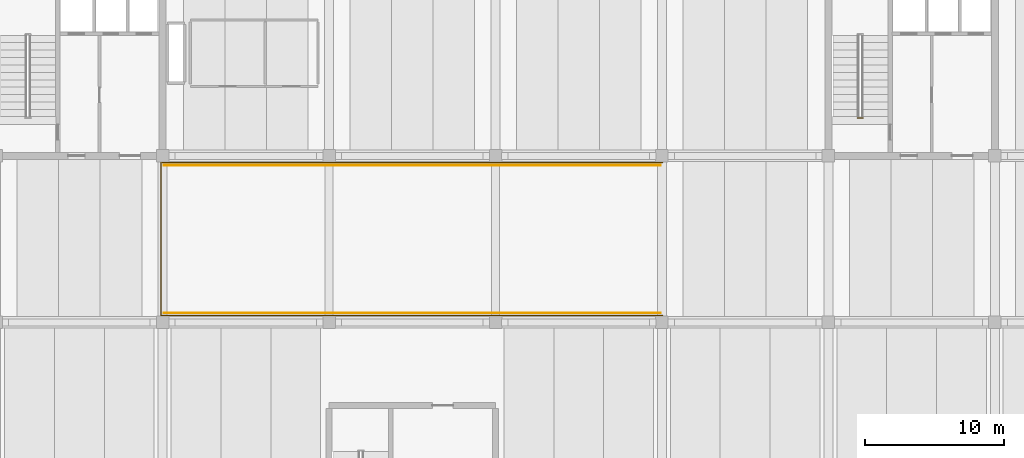
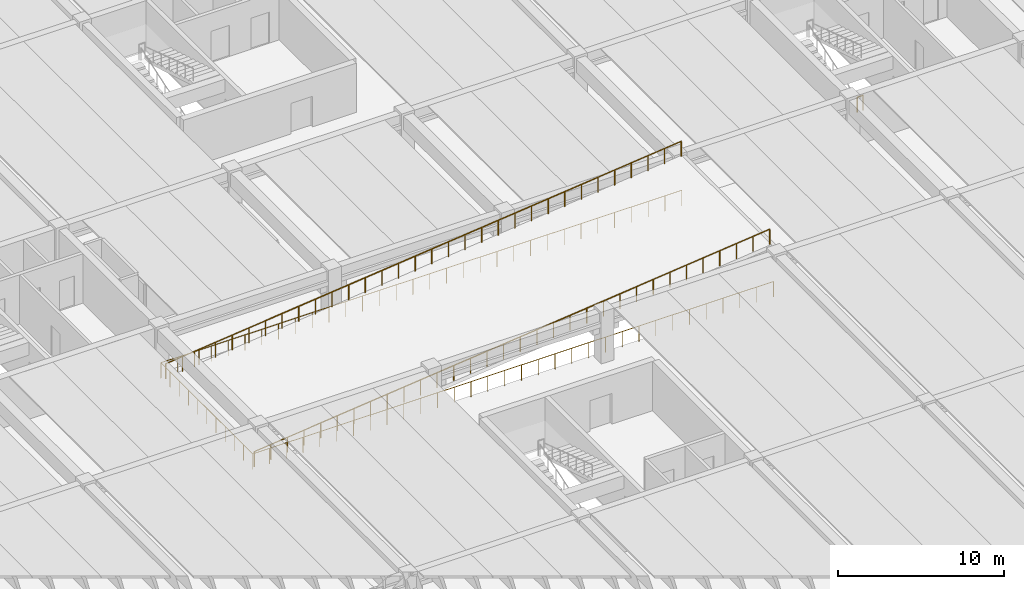
# One storey, part 16 of 19: 4 railings.
"""IFC4 building model written with IfcOpenShell, lengths in metres."""

from ifc_helpers import new_model, si_unit, direction, frame, origin, origin_2d, place, context, subcontext, project, spatial, circle, extrude, material, layer, layer_set, type_object, element, save


model = new_model("IFC4")

# Units and contexts
model_context = context("Model", 3, precision=1e-05, world=origin(), true_north=direction((0.0, 1.0)))
body_context = subcontext(model_context, "Body", "Model", "MODEL_VIEW")
ifc_project = project(units=[si_unit("LENGTHUNIT", "METRE"), si_unit("AREAUNIT", "SQUARE_METRE"), si_unit("VOLUMEUNIT", "CUBIC_METRE"), si_unit("PLANEANGLEUNIT", "RADIAN"), si_unit("MASSUNIT", "GRAM", prefix="KILO")], contexts=[model_context])

# Site, building, storey
site_placement = place(None, origin())
site = spatial("IfcSite", under=ifc_project, at=site_placement, CompositionType="ELEMENT")
building_placement = place(site_placement, origin())
building = spatial("IfcBuilding", under=site, at=building_placement, Name="Girod Span Mobility Hub", CompositionType="ELEMENT")
storey_placement = place(building_placement, frame((0.0, 0.0, 13.39990234375)))
storey = spatial("IfcBuildingStorey", under=building, at=storey_placement, Name="L03", CompositionType="ELEMENT", Elevation=13.39990234375)

# Railings
ifc_material_1 = material(Name="Painted Galvanised Steel", Category="steel")
ifc_layer_1 = layer(ifc_material_1, 0.06494140625)
ifc_layer_set_1 = layer_set([ifc_layer_1], Name="Painted Galvanised Steel")
railing_type_1 = type_object("IfcRailingType", Name="RL-GRD-1120", PredefinedType="GUARDRAIL", material=ifc_layer_set_1)
railing_1_placement = place(storey_placement, frame((60.10009765625, 45.679931640625, 0.0)))
element("IfcRailing", 1, at=railing_1_placement, inside=storey, type_object=railing_type_1, Name="Vehicular Ramp Guardrail L03-S", PredefinedType="GUARDRAIL", context=body_context, shape_type="SweptSolid", body=[
    extrude(circle(Radius=0.02392578125, at=origin_2d()), frame((0.0, 0.0, 1.09619140625), z_axis=(0.994413550329, 0.0, 0.105554208454), x_axis=(0.0, 1.0, 0.0)), (0.0, 0.0, 1.0), 36.0009765625),
    extrude(circle(Radius=0.02099609375, at=origin_2d()), origin(), (0.0, 0.0, 1.0), 1.072021484375),
    extrude(circle(Radius=0.02099609375, at=origin_2d()), frame((1.15478515625, 0.0, 0.12255859375)), (0.0, 0.0, 1.0), 1.072021484375),
    extrude(circle(Radius=0.02099609375, at=origin_2d()), frame((2.3095703125, 0.0, 0.2451171875)), (0.0, 0.0, 1.0), 1.072021484375),
    extrude(circle(Radius=0.02099609375, at=origin_2d()), frame((3.464599609375, 0.0, 0.36767578125)), (0.0, 0.0, 1.0), 1.072021484375),
    extrude(circle(Radius=0.02099609375, at=origin_2d()), frame((4.619384765625, 0.0, 0.490234375)), (0.0, 0.0, 1.0), 1.072021484375),
    extrude(circle(Radius=0.02099609375, at=origin_2d()), frame((5.774169921875, 0.0, 0.61279296875)), (0.0, 0.0, 1.0), 1.072021484375),
    extrude(circle(Radius=0.02099609375, at=origin_2d()), frame((6.928955078125, 0.0, 0.735595703125)), (0.0, 0.0, 1.0), 1.072021484375),
    extrude(circle(Radius=0.02099609375, at=origin_2d()), frame((8.083740234375, 0.0, 0.858154296875)), (0.0, 0.0, 1.0), 1.072021484375),
    extrude(circle(Radius=0.02099609375, at=origin_2d()), frame((9.23876953125, 0.0, 0.980712890625)), (0.0, 0.0, 1.0), 1.072021484375),
    extrude(circle(Radius=0.02099609375, at=origin_2d()), frame((10.3935546875, 0.0, 1.103271484375)), (0.0, 0.0, 1.0), 1.072021484375),
    extrude(circle(Radius=0.02099609375, at=origin_2d()), frame((11.54833984375, 0.0, 1.225830078125)), (0.0, 0.0, 1.0), 1.072021484375),
    extrude(circle(Radius=0.02099609375, at=origin_2d()), frame((12.703125, 0.0, 1.348388671875)), (0.0, 0.0, 1.0), 1.072021484375),
    extrude(circle(Radius=0.02099609375, at=origin_2d()), frame((13.85791015625, 0.0, 1.470947265625)), (0.0, 0.0, 1.0), 1.072021484375),
    extrude(circle(Radius=0.02099609375, at=origin_2d()), frame((15.012939453125, 0.0, 1.593505859375)), (0.0, 0.0, 1.0), 1.072021484375),
    extrude(circle(Radius=0.02099609375, at=origin_2d()), frame((16.167724609375, 0.0, 1.716064453125)), (0.0, 0.0, 1.0), 1.072021484375),
    extrude(circle(Radius=0.02099609375, at=origin_2d()), frame((17.322509765625, 0.0, 1.838623046875)), (0.0, 0.0, 1.0), 1.072021484375),
    extrude(circle(Radius=0.02099609375, at=origin_2d()), frame((18.477294921875, 0.0, 1.96142578125)), (0.0, 0.0, 1.0), 1.072021484375),
    extrude(circle(Radius=0.02099609375, at=origin_2d()), frame((19.632080078125, 0.0, 2.083984375)), (0.0, 0.0, 1.0), 1.072021484375),
    extrude(circle(Radius=0.02099609375, at=origin_2d()), frame((20.786865234375, 0.0, 2.20654296875)), (0.0, 0.0, 1.0), 1.072021484375),
    extrude(circle(Radius=0.02099609375, at=origin_2d()), frame((21.94189453125, 0.0, 2.3291015625)), (0.0, 0.0, 1.0), 1.072021484375),
    extrude(circle(Radius=0.02099609375, at=origin_2d()), frame((23.0966796875, 0.0, 2.45166015625)), (0.0, 0.0, 1.0), 1.072021484375),
    extrude(circle(Radius=0.02099609375, at=origin_2d()), frame((24.25146484375, 0.0, 2.57421875)), (0.0, 0.0, 1.0), 1.072021484375),
    extrude(circle(Radius=0.02099609375, at=origin_2d()), frame((25.40625, 0.0, 2.69677734375)), (0.0, 0.0, 1.0), 1.072021484375),
    extrude(circle(Radius=0.02099609375, at=origin_2d()), frame((26.56103515625, 0.0, 2.8193359375)), (0.0, 0.0, 1.0), 1.072021484375),
    extrude(circle(Radius=0.02099609375, at=origin_2d()), frame((27.716064453125, 0.0, 2.94189453125)), (0.0, 0.0, 1.0), 1.072021484375),
    extrude(circle(Radius=0.02099609375, at=origin_2d()), frame((28.870849609375, 0.0, 3.064453125)), (0.0, 0.0, 1.0), 1.072021484375),
    extrude(circle(Radius=0.02099609375, at=origin_2d()), frame((30.025634765625, 0.0, 3.187255859375)), (0.0, 0.0, 1.0), 1.072021484375),
    extrude(circle(Radius=0.02099609375, at=origin_2d()), frame((31.180419921875, 0.0, 3.309814453125)), (0.0, 0.0, 1.0), 1.072021484375),
    extrude(circle(Radius=0.02099609375, at=origin_2d()), frame((32.335205078125, 0.0, 3.432373046875)), (0.0, 0.0, 1.0), 1.072021484375),
    extrude(circle(Radius=0.02099609375, at=origin_2d()), frame((33.490234375, 0.0, 3.554931640625)), (0.0, 0.0, 1.0), 1.072021484375),
    extrude(circle(Radius=0.02099609375, at=origin_2d()), frame((34.64501953125, 0.0, 3.677490234375)), (0.0, 0.0, 1.0), 1.072021484375),
    extrude(circle(Radius=0.02099609375, at=origin_2d()), frame((35.7998046875, 0.0, 3.800048828125)), (0.0, 0.0, 1.0), 1.072021484375),
])
railing_2_placement = place(storey_placement, frame((60.10009765625, 56.320068359375, 0.0)))
element("IfcRailing", 2, at=railing_2_placement, inside=storey, type_object=railing_type_1, Name="Vehicular Ramp Guardrail L03-N", PredefinedType="GUARDRAIL", context=body_context, shape_type="SweptSolid", body=[
    extrude(circle(Radius=0.02392578125, at=origin_2d()), frame((0.0, 0.0, 1.09619140625), z_axis=(0.994413550329, 0.0, 0.105554208454), x_axis=(0.0, 1.0, 0.0)), (0.0, 0.0, 1.0), 36.0009765625),
    extrude(circle(Radius=0.02099609375, at=origin_2d()), origin(), (0.0, 0.0, 1.0), 1.072021484375),
    extrude(circle(Radius=0.02099609375, at=origin_2d()), frame((1.15478515625, 0.0, 0.12255859375)), (0.0, 0.0, 1.0), 1.072021484375),
    extrude(circle(Radius=0.02099609375, at=origin_2d()), frame((2.3095703125, 0.0, 0.2451171875)), (0.0, 0.0, 1.0), 1.072021484375),
    extrude(circle(Radius=0.02099609375, at=origin_2d()), frame((3.464599609375, 0.0, 0.36767578125)), (0.0, 0.0, 1.0), 1.072021484375),
    extrude(circle(Radius=0.02099609375, at=origin_2d()), frame((4.619384765625, 0.0, 0.490234375)), (0.0, 0.0, 1.0), 1.072021484375),
    extrude(circle(Radius=0.02099609375, at=origin_2d()), frame((5.774169921875, 0.0, 0.61279296875)), (0.0, 0.0, 1.0), 1.072021484375),
    extrude(circle(Radius=0.02099609375, at=origin_2d()), frame((6.928955078125, 0.0, 0.735595703125)), (0.0, 0.0, 1.0), 1.072021484375),
    extrude(circle(Radius=0.02099609375, at=origin_2d()), frame((8.083740234375, 0.0, 0.858154296875)), (0.0, 0.0, 1.0), 1.072021484375),
    extrude(circle(Radius=0.02099609375, at=origin_2d()), frame((9.23876953125, 0.0, 0.980712890625)), (0.0, 0.0, 1.0), 1.072021484375),
    extrude(circle(Radius=0.02099609375, at=origin_2d()), frame((10.3935546875, 0.0, 1.103271484375)), (0.0, 0.0, 1.0), 1.072021484375),
    extrude(circle(Radius=0.02099609375, at=origin_2d()), frame((11.54833984375, 0.0, 1.225830078125)), (0.0, 0.0, 1.0), 1.072021484375),
    extrude(circle(Radius=0.02099609375, at=origin_2d()), frame((12.703125, 0.0, 1.348388671875)), (0.0, 0.0, 1.0), 1.072021484375),
    extrude(circle(Radius=0.02099609375, at=origin_2d()), frame((13.85791015625, 0.0, 1.470947265625)), (0.0, 0.0, 1.0), 1.072021484375),
    extrude(circle(Radius=0.02099609375, at=origin_2d()), frame((15.012939453125, 0.0, 1.593505859375)), (0.0, 0.0, 1.0), 1.072021484375),
    extrude(circle(Radius=0.02099609375, at=origin_2d()), frame((16.167724609375, 0.0, 1.716064453125)), (0.0, 0.0, 1.0), 1.072021484375),
    extrude(circle(Radius=0.02099609375, at=origin_2d()), frame((17.322509765625, 0.0, 1.838623046875)), (0.0, 0.0, 1.0), 1.072021484375),
    extrude(circle(Radius=0.02099609375, at=origin_2d()), frame((18.477294921875, 0.0, 1.96142578125)), (0.0, 0.0, 1.0), 1.072021484375),
    extrude(circle(Radius=0.02099609375, at=origin_2d()), frame((19.632080078125, 0.0, 2.083984375)), (0.0, 0.0, 1.0), 1.072021484375),
    extrude(circle(Radius=0.02099609375, at=origin_2d()), frame((20.786865234375, 0.0, 2.20654296875)), (0.0, 0.0, 1.0), 1.072021484375),
    extrude(circle(Radius=0.02099609375, at=origin_2d()), frame((21.94189453125, 0.0, 2.3291015625)), (0.0, 0.0, 1.0), 1.072021484375),
    extrude(circle(Radius=0.02099609375, at=origin_2d()), frame((23.0966796875, 0.0, 2.45166015625)), (0.0, 0.0, 1.0), 1.072021484375),
    extrude(circle(Radius=0.02099609375, at=origin_2d()), frame((24.25146484375, 0.0, 2.57421875)), (0.0, 0.0, 1.0), 1.072021484375),
    extrude(circle(Radius=0.02099609375, at=origin_2d()), frame((25.40625, 0.0, 2.69677734375)), (0.0, 0.0, 1.0), 1.072021484375),
    extrude(circle(Radius=0.02099609375, at=origin_2d()), frame((26.56103515625, 0.0, 2.8193359375)), (0.0, 0.0, 1.0), 1.072021484375),
    extrude(circle(Radius=0.02099609375, at=origin_2d()), frame((27.716064453125, 0.0, 2.94189453125)), (0.0, 0.0, 1.0), 1.072021484375),
    extrude(circle(Radius=0.02099609375, at=origin_2d()), frame((28.870849609375, 0.0, 3.064453125)), (0.0, 0.0, 1.0), 1.072021484375),
    extrude(circle(Radius=0.02099609375, at=origin_2d()), frame((30.025634765625, 0.0, 3.187255859375)), (0.0, 0.0, 1.0), 1.072021484375),
    extrude(circle(Radius=0.02099609375, at=origin_2d()), frame((31.180419921875, 0.0, 3.309814453125)), (0.0, 0.0, 1.0), 1.072021484375),
    extrude(circle(Radius=0.02099609375, at=origin_2d()), frame((32.335205078125, 0.0, 3.432373046875)), (0.0, 0.0, 1.0), 1.072021484375),
    extrude(circle(Radius=0.02099609375, at=origin_2d()), frame((33.490234375, 0.0, 3.554931640625)), (0.0, 0.0, 1.0), 1.072021484375),
    extrude(circle(Radius=0.02099609375, at=origin_2d()), frame((34.64501953125, 0.0, 3.677490234375)), (0.0, 0.0, 1.0), 1.072021484375),
    extrude(circle(Radius=0.02099609375, at=origin_2d()), frame((35.7998046875, 0.0, 3.800048828125)), (0.0, 0.0, 1.0), 1.072021484375),
])
railing_3_placement = place(storey_placement, frame((110.10009765625, 59.72998046875, 0.0)))
element("IfcRailing", 3, at=railing_3_placement, inside=storey, type_object=railing_type_1, Name="Stair ST-2 Landing Well Guard L03", PredefinedType="GUARDRAIL", context=body_context, shape_type="SweptSolid", body=[
    extrude(circle(Radius=0.02392578125, at=origin_2d()), frame((0.0, 0.0, 1.09619140625), z_axis=(1.0, 0.0, 0.0), x_axis=(0.0, 1.0, 0.0)), (0.0, 0.0, 1.0), 0.39990234375),
    extrude(circle(Radius=0.02099609375, at=origin_2d()), origin(), (0.0, 0.0, 1.0), 1.072021484375),
    extrude(circle(Radius=0.02099609375, at=origin_2d()), frame((0.39990234375, 0.0, 0.0)), (0.0, 0.0, 1.0), 1.072021484375),
])
ifc_material_2 = material(Name="Painted Galvanised Steel", Category="steel")
ifc_layer_2 = layer(ifc_material_2, 0.074951171875)
ifc_layer_set_2 = layer_set([ifc_layer_2], Name="Painted Galvanised Steel")
railing_type_2 = type_object("IfcRailingType", Name="RL-GRD-1150", PredefinedType="GUARDRAIL", material=ifc_layer_set_2)
railing_4_placement = place(storey_placement, frame((96.050048828125, 45.47998046875, 0.0)))
element("IfcRailing", 4, at=railing_4_placement, inside=storey, type_object=railing_type_2, Name="Ramp Well Deck Guardrail L03", PredefinedType="GUARDRAIL", context=body_context, shape_type="SweptSolid", body=[
    extrude(circle(Radius=0.02392578125, at=origin_2d()), frame((0.0, 0.0, 1.1259765625), z_axis=(-1.0, 0.0, 0.0), x_axis=(0.0, -1.0, 0.0)), (0.0, 0.0, 1.0), 36.170166015625),
    extrude(circle(Radius=0.02392578125, at=origin_2d()), frame((-36.170166015625, 0.0, 1.1259765625), z_axis=(0.0, 1.0, 0.0), x_axis=(-1.0, 0.0, 0.0)), (0.0, 0.0, 1.0), 11.0400390625),
    extrude(circle(Radius=0.02392578125, at=origin_2d()), frame((-36.170166015625, 11.0400390625, 1.1259765625), z_axis=(1.0, 0.0, 0.0), x_axis=(0.0, 1.0, 0.0)), (0.0, 0.0, 1.0), 36.170166015625),
    extrude(circle(Radius=0.02099609375, at=origin_2d()), origin(), (0.0, 0.0, 1.0), 1.101806640625),
    extrude(circle(Radius=0.02099609375, at=origin_2d()), frame((-1.166748046875, 0.0, 0.0)), (0.0, 0.0, 1.0), 1.101806640625),
    extrude(circle(Radius=0.02099609375, at=origin_2d()), frame((-2.33349609375, 0.0, 0.0)), (0.0, 0.0, 1.0), 1.101806640625),
    extrude(circle(Radius=0.02099609375, at=origin_2d()), frame((-3.500244140625, 0.0, 0.0)), (0.0, 0.0, 1.0), 1.101806640625),
    extrude(circle(Radius=0.02099609375, at=origin_2d()), frame((-4.667236328125, 0.0, 0.0)), (0.0, 0.0, 1.0), 1.101806640625),
    extrude(circle(Radius=0.02099609375, at=origin_2d()), frame((-5.833984375, 0.0, 0.0)), (0.0, 0.0, 1.0), 1.101806640625),
    extrude(circle(Radius=0.02099609375, at=origin_2d()), frame((-7.000732421875, 0.0, 0.0)), (0.0, 0.0, 1.0), 1.101806640625),
    extrude(circle(Radius=0.02099609375, at=origin_2d()), frame((-8.16748046875, 0.0, 0.0)), (0.0, 0.0, 1.0), 1.101806640625),
    extrude(circle(Radius=0.02099609375, at=origin_2d()), frame((-9.334228515625, 0.0, 0.0)), (0.0, 0.0, 1.0), 1.101806640625),
    extrude(circle(Radius=0.02099609375, at=origin_2d()), frame((-10.5009765625, 0.0, 0.0)), (0.0, 0.0, 1.0), 1.101806640625),
    extrude(circle(Radius=0.02099609375, at=origin_2d()), frame((-11.667724609375, 0.0, 0.0)), (0.0, 0.0, 1.0), 1.101806640625),
    extrude(circle(Radius=0.02099609375, at=origin_2d()), frame((-12.83447265625, 0.0, 0.0)), (0.0, 0.0, 1.0), 1.101806640625),
    extrude(circle(Radius=0.02099609375, at=origin_2d()), frame((-14.00146484375, 0.0, 0.0)), (0.0, 0.0, 1.0), 1.101806640625),
    extrude(circle(Radius=0.02099609375, at=origin_2d()), frame((-15.168212890625, 0.0, 0.0)), (0.0, 0.0, 1.0), 1.101806640625),
    extrude(circle(Radius=0.02099609375, at=origin_2d()), frame((-16.3349609375, 0.0, 0.0)), (0.0, 0.0, 1.0), 1.101806640625),
    extrude(circle(Radius=0.02099609375, at=origin_2d()), frame((-17.501708984375, 0.0, 0.0)), (0.0, 0.0, 1.0), 1.101806640625),
    extrude(circle(Radius=0.02099609375, at=origin_2d()), frame((-18.66845703125, 0.0, 0.0)), (0.0, 0.0, 1.0), 1.101806640625),
    extrude(circle(Radius=0.02099609375, at=origin_2d()), frame((-19.835205078125, 0.0, 0.0)), (0.0, 0.0, 1.0), 1.101806640625),
    extrude(circle(Radius=0.02099609375, at=origin_2d()), frame((-21.001953125, 0.0, 0.0)), (0.0, 0.0, 1.0), 1.101806640625),
    extrude(circle(Radius=0.02099609375, at=origin_2d()), frame((-22.168701171875, 0.0, 0.0)), (0.0, 0.0, 1.0), 1.101806640625),
    extrude(circle(Radius=0.02099609375, at=origin_2d()), frame((-23.335693359375, 0.0, 0.0)), (0.0, 0.0, 1.0), 1.101806640625),
    extrude(circle(Radius=0.02099609375, at=origin_2d()), frame((-24.50244140625, 0.0, 0.0)), (0.0, 0.0, 1.0), 1.101806640625),
    extrude(circle(Radius=0.02099609375, at=origin_2d()), frame((-25.669189453125, 0.0, 0.0)), (0.0, 0.0, 1.0), 1.101806640625),
    extrude(circle(Radius=0.02099609375, at=origin_2d()), frame((-26.8359375, 0.0, 0.0)), (0.0, 0.0, 1.0), 1.101806640625),
    extrude(circle(Radius=0.02099609375, at=origin_2d()), frame((-28.002685546875, 0.0, 0.0)), (0.0, 0.0, 1.0), 1.101806640625),
    extrude(circle(Radius=0.02099609375, at=origin_2d()), frame((-29.16943359375, 0.0, 0.0)), (0.0, 0.0, 1.0), 1.101806640625),
    extrude(circle(Radius=0.02099609375, at=origin_2d()), frame((-30.336181640625, 0.0, 0.0)), (0.0, 0.0, 1.0), 1.101806640625),
    extrude(circle(Radius=0.02099609375, at=origin_2d()), frame((-31.5029296875, 0.0, 0.0)), (0.0, 0.0, 1.0), 1.101806640625),
    extrude(circle(Radius=0.02099609375, at=origin_2d()), frame((-32.669921875, 0.0, 0.0)), (0.0, 0.0, 1.0), 1.101806640625),
    extrude(circle(Radius=0.02099609375, at=origin_2d()), frame((-33.836669921875, 0.0, 0.0)), (0.0, 0.0, 1.0), 1.101806640625),
    extrude(circle(Radius=0.02099609375, at=origin_2d()), frame((-35.00341796875, 0.0, 0.0)), (0.0, 0.0, 1.0), 1.101806640625),
    extrude(circle(Radius=0.02099609375, at=origin_2d()), frame((-36.170166015625, 0.0, 0.0)), (0.0, 0.0, 1.0), 1.101806640625),
    extrude(circle(Radius=0.02099609375, at=origin_2d()), frame((-36.170166015625, 1.10400390625, 0.0)), (0.0, 0.0, 1.0), 1.101806640625),
    extrude(circle(Radius=0.02099609375, at=origin_2d()), frame((-36.170166015625, 2.2080078125, 0.0)), (0.0, 0.0, 1.0), 1.101806640625),
    extrude(circle(Radius=0.02099609375, at=origin_2d()), frame((-36.170166015625, 3.31201171875, 0.0)), (0.0, 0.0, 1.0), 1.101806640625),
    extrude(circle(Radius=0.02099609375, at=origin_2d()), frame((-36.170166015625, 4.416015625, 0.0)), (0.0, 0.0, 1.0), 1.101806640625),
    extrude(circle(Radius=0.02099609375, at=origin_2d()), frame((-36.170166015625, 5.52001953125, 0.0)), (0.0, 0.0, 1.0), 1.101806640625),
    extrude(circle(Radius=0.02099609375, at=origin_2d()), frame((-36.170166015625, 6.6240234375, 0.0)), (0.0, 0.0, 1.0), 1.101806640625),
    extrude(circle(Radius=0.02099609375, at=origin_2d()), frame((-36.170166015625, 7.72802734375, 0.0)), (0.0, 0.0, 1.0), 1.101806640625),
    extrude(circle(Radius=0.02099609375, at=origin_2d()), frame((-36.170166015625, 8.83203125, 0.0)), (0.0, 0.0, 1.0), 1.101806640625),
    extrude(circle(Radius=0.02099609375, at=origin_2d()), frame((-36.170166015625, 9.93603515625, 0.0)), (0.0, 0.0, 1.0), 1.101806640625),
    extrude(circle(Radius=0.02099609375, at=origin_2d()), frame((-36.170166015625, 11.0400390625, 0.0)), (0.0, 0.0, 1.0), 1.101806640625),
    extrude(circle(Radius=0.02099609375, at=origin_2d()), frame((-35.00341796875, 11.0400390625, 0.0)), (0.0, 0.0, 1.0), 1.101806640625),
    extrude(circle(Radius=0.02099609375, at=origin_2d()), frame((-33.836669921875, 11.0400390625, 0.0)), (0.0, 0.0, 1.0), 1.101806640625),
    extrude(circle(Radius=0.02099609375, at=origin_2d()), frame((-32.669921875, 11.0400390625, 0.0)), (0.0, 0.0, 1.0), 1.101806640625),
    extrude(circle(Radius=0.02099609375, at=origin_2d()), frame((-31.5029296875, 11.0400390625, 0.0)), (0.0, 0.0, 1.0), 1.101806640625),
    extrude(circle(Radius=0.02099609375, at=origin_2d()), frame((-30.336181640625, 11.0400390625, 0.0)), (0.0, 0.0, 1.0), 1.101806640625),
    extrude(circle(Radius=0.02099609375, at=origin_2d()), frame((-29.16943359375, 11.0400390625, 0.0)), (0.0, 0.0, 1.0), 1.101806640625),
    extrude(circle(Radius=0.02099609375, at=origin_2d()), frame((-28.002685546875, 11.0400390625, 0.0)), (0.0, 0.0, 1.0), 1.101806640625),
    extrude(circle(Radius=0.02099609375, at=origin_2d()), frame((-26.8359375, 11.0400390625, 0.0)), (0.0, 0.0, 1.0), 1.101806640625),
    extrude(circle(Radius=0.02099609375, at=origin_2d()), frame((-25.669189453125, 11.0400390625, 0.0)), (0.0, 0.0, 1.0), 1.101806640625),
    extrude(circle(Radius=0.02099609375, at=origin_2d()), frame((-24.50244140625, 11.0400390625, 0.0)), (0.0, 0.0, 1.0), 1.101806640625),
    extrude(circle(Radius=0.02099609375, at=origin_2d()), frame((-23.335693359375, 11.0400390625, 0.0)), (0.0, 0.0, 1.0), 1.101806640625),
    extrude(circle(Radius=0.02099609375, at=origin_2d()), frame((-22.168701171875, 11.0400390625, 0.0)), (0.0, 0.0, 1.0), 1.101806640625),
    extrude(circle(Radius=0.02099609375, at=origin_2d()), frame((-21.001953125, 11.0400390625, 0.0)), (0.0, 0.0, 1.0), 1.101806640625),
    extrude(circle(Radius=0.02099609375, at=origin_2d()), frame((-19.835205078125, 11.0400390625, 0.0)), (0.0, 0.0, 1.0), 1.101806640625),
    extrude(circle(Radius=0.02099609375, at=origin_2d()), frame((-18.66845703125, 11.0400390625, 0.0)), (0.0, 0.0, 1.0), 1.101806640625),
    extrude(circle(Radius=0.02099609375, at=origin_2d()), frame((-17.501708984375, 11.0400390625, 0.0)), (0.0, 0.0, 1.0), 1.101806640625),
    extrude(circle(Radius=0.02099609375, at=origin_2d()), frame((-16.3349609375, 11.0400390625, 0.0)), (0.0, 0.0, 1.0), 1.101806640625),
    extrude(circle(Radius=0.02099609375, at=origin_2d()), frame((-15.168212890625, 11.0400390625, 0.0)), (0.0, 0.0, 1.0), 1.101806640625),
    extrude(circle(Radius=0.02099609375, at=origin_2d()), frame((-14.00146484375, 11.0400390625, 0.0)), (0.0, 0.0, 1.0), 1.101806640625),
    extrude(circle(Radius=0.02099609375, at=origin_2d()), frame((-12.83447265625, 11.0400390625, 0.0)), (0.0, 0.0, 1.0), 1.101806640625),
    extrude(circle(Radius=0.02099609375, at=origin_2d()), frame((-11.667724609375, 11.0400390625, 0.0)), (0.0, 0.0, 1.0), 1.101806640625),
    extrude(circle(Radius=0.02099609375, at=origin_2d()), frame((-10.5009765625, 11.0400390625, 0.0)), (0.0, 0.0, 1.0), 1.101806640625),
    extrude(circle(Radius=0.02099609375, at=origin_2d()), frame((-9.334228515625, 11.0400390625, 0.0)), (0.0, 0.0, 1.0), 1.101806640625),
    extrude(circle(Radius=0.02099609375, at=origin_2d()), frame((-8.16748046875, 11.0400390625, 0.0)), (0.0, 0.0, 1.0), 1.101806640625),
    extrude(circle(Radius=0.02099609375, at=origin_2d()), frame((-7.000732421875, 11.0400390625, 0.0)), (0.0, 0.0, 1.0), 1.101806640625),
    extrude(circle(Radius=0.02099609375, at=origin_2d()), frame((-5.833984375, 11.0400390625, 0.0)), (0.0, 0.0, 1.0), 1.101806640625),
    extrude(circle(Radius=0.02099609375, at=origin_2d()), frame((-4.667236328125, 11.0400390625, 0.0)), (0.0, 0.0, 1.0), 1.101806640625),
    extrude(circle(Radius=0.02099609375, at=origin_2d()), frame((-3.500244140625, 11.0400390625, 0.0)), (0.0, 0.0, 1.0), 1.101806640625),
    extrude(circle(Radius=0.02099609375, at=origin_2d()), frame((-2.33349609375, 11.0400390625, 0.0)), (0.0, 0.0, 1.0), 1.101806640625),
    extrude(circle(Radius=0.02099609375, at=origin_2d()), frame((-1.166748046875, 11.0400390625, 0.0)), (0.0, 0.0, 1.0), 1.101806640625),
    extrude(circle(Radius=0.02099609375, at=origin_2d()), frame((0.0, 11.0400390625, 0.0)), (0.0, 0.0, 1.0), 1.101806640625),
])

save(model, "model.ifc")
